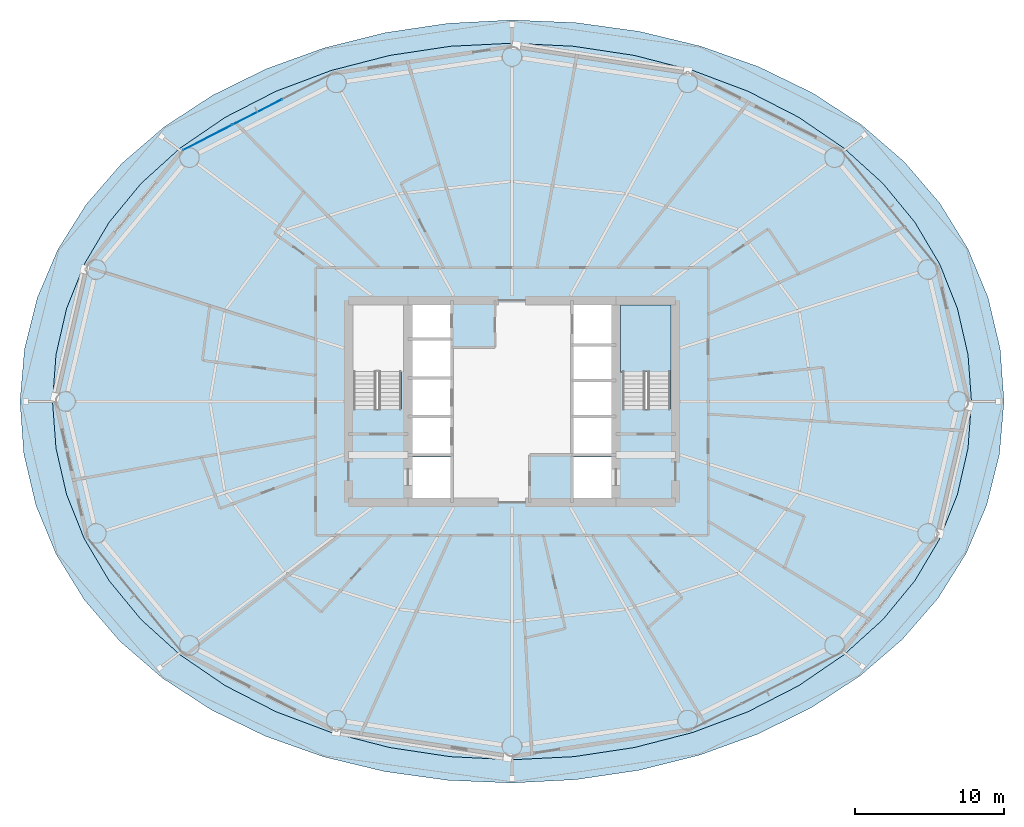
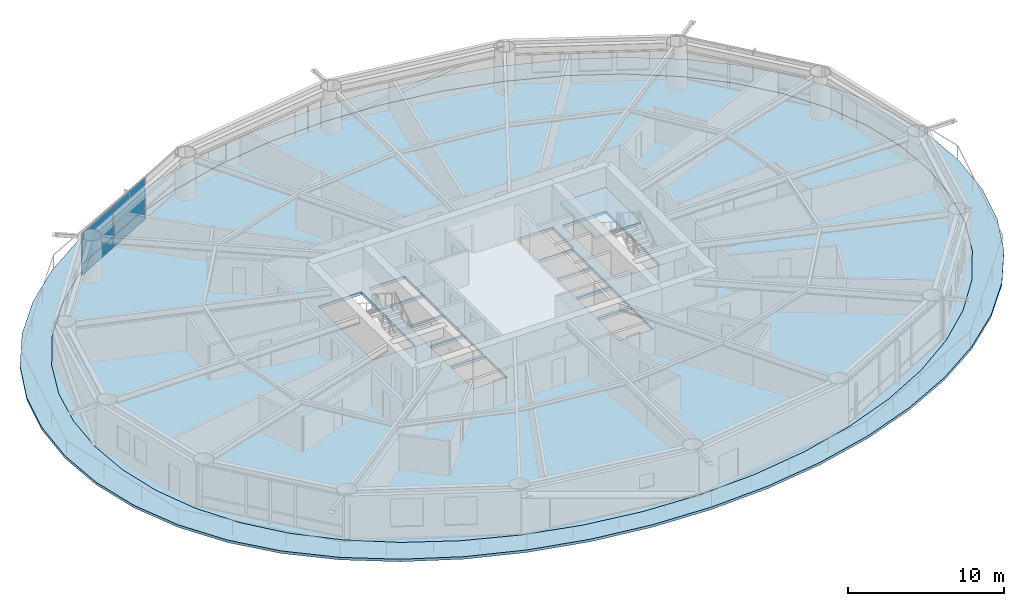
# One storey, part 17 of 26: 4 plates, 3 slabs, 2 elements without a shape of their own.
"""IFC4 building model written with IfcOpenShell, lengths in metres."""

from ifc_helpers import new_model, si_unit, direction, frame, origin, origin_2d, place, context, subcontext, project, spatial, polyline, rectangle, outline, extrude, material, layer, layer_set, type_object, element, aggregate, save


model = new_model("IFC4")

# Units and contexts
model_context = context("Model", 3, precision=1e-05, world=origin(), true_north=direction((0.0, 1.0)))
body_context = subcontext(model_context, "Body", "Model", "MODEL_VIEW")
ifc_project = project(units=[si_unit("LENGTHUNIT", "METRE"), si_unit("AREAUNIT", "SQUARE_METRE"), si_unit("VOLUMEUNIT", "CUBIC_METRE"), si_unit("PLANEANGLEUNIT", "RADIAN"), si_unit("MASSUNIT", "GRAM", prefix="KILO")], contexts=[model_context])

# Site, building, storey
site_placement = place(None, origin())
site = spatial("IfcSite", under=ifc_project, at=site_placement, CompositionType="ELEMENT")
building_placement = place(site_placement, origin())
building = spatial("IfcBuilding", under=site, at=building_placement, Name="Sarneth Arch Tower", CompositionType="ELEMENT")
storey_placement = place(building_placement, frame((0.0, 0.0, 57.0)))
storey = spatial("IfcBuildingStorey", under=building, at=storey_placement, Name="L13", CompositionType="ELEMENT", Elevation=57.0)

# Curtain wall, plates
ifc_material_1 = material(Name="Anodised aluminium Type AA25 and solar-control low-e laminated IGU", Category="aluminium")
ifc_layer_1 = layer(ifc_material_1, 0.159912109375)
ifc_layer_set_1 = layer_set([ifc_layer_1], Name="Anodised aluminium Type AA25 and solar-control low-e laminated IGU")
curtain_wall_type = type_object("IfcCurtainWallType", Name="CW-HOTEL-LOW", PredefinedType="NOTDEFINED", material=ifc_layer_set_1)
curtain_wall_placement = place(storey_placement, origin())
curtain_wall = element("IfcCurtainWall", 1, at=curtain_wall_placement, inside=storey, type_object=curtain_wall_type, Name="L13 Unitised curtain wall facet 06", PredefinedType="NOTDEFINED")
ifc_material_2 = material(Name="Solar-control low-e laminated IGU", Category="glass")
ifc_layer_2 = layer(ifc_material_2, 0.028076171875)
ifc_layer_set_2 = layer_set([ifc_layer_2], Name="Solar-control low-e laminated IGU")
plate_type = type_object("IfcPlateType", Name="CW-PANEL", PredefinedType="CURTAIN_PANEL", material=ifc_layer_set_2)
plate_1_placement = place(storey_placement, frame((30.8740234375, 61.473876953125, 0.06005859375), z_axis=(0.0, 0.0, 1.0), x_axis=(-0.889854100456, -0.456245197127, 0.0)))
plate_1 = element("IfcPlate", 2, at=plate_1_placement, type_object=plate_type, Name="Curtain wall glazed vision pane CW-L13-F06/P01-00", PredefinedType="CURTAIN_PANEL", context=body_context, shape_type="SweptSolid", body=[
    extrude(rectangle(XDim=3.721923828125, YDim=0.028076171875, at=origin_2d()), origin(), (0.0, 0.0, 1.0), 0.81005859375),
])
plate_2_placement = place(storey_placement, frame((30.8740234375, 61.473876953125, 0.93017578125), z_axis=(0.0, 0.0, 1.0), x_axis=(-0.889854100456, -0.456245197127, 0.0)))
plate_2 = element("IfcPlate", 3, at=plate_2_placement, type_object=plate_type, Name="Curtain wall glazed vision pane CW-L13-F06/P01-01", PredefinedType="CURTAIN_PANEL", context=body_context, shape_type="SweptSolid", body=[
    extrude(rectangle(XDim=3.721923828125, YDim=0.028076171875, at=origin_2d()), origin(), (0.0, 0.0, 1.0), 2.389892578125),
])
plate_3_placement = place(storey_placement, frame((27.52197265625, 59.75537109375, 0.06005859375), z_axis=(0.0, 0.0, 1.0), x_axis=(-0.889854100456, -0.456245197127, 0.0)))
plate_3 = element("IfcPlate", 4, at=plate_3_placement, type_object=plate_type, Name="Curtain wall glazed vision pane CW-L13-F06/P02-00", PredefinedType="CURTAIN_PANEL", context=body_context, shape_type="SweptSolid", body=[
    extrude(rectangle(XDim=3.69189453125, YDim=0.028076171875, at=origin_2d()), origin(), (0.0, 0.0, 1.0), 0.81005859375),
])
plate_4_placement = place(storey_placement, frame((27.52197265625, 59.75537109375, 0.93017578125), z_axis=(0.0, 0.0, 1.0), x_axis=(-0.889854100456, -0.456245197127, 0.0)))
plate_4 = element("IfcPlate", 5, at=plate_4_placement, type_object=plate_type, Name="Curtain wall glazed vision pane CW-L13-F06/P02-01", PredefinedType="CURTAIN_PANEL", context=body_context, shape_type="SweptSolid", body=[
    extrude(rectangle(XDim=3.69189453125, YDim=0.028076171875, at=origin_2d()), origin(), (0.0, 0.0, 1.0), 2.389892578125),
])
aggregate(curtain_wall, [plate_1, plate_2, plate_3, plate_4])

# Slab
ifc_material_3 = material(Name="Concrete C50/60", Category="concrete")
ifc_layer_3 = layer(ifc_material_3, 0.199951171875)
ifc_layer_set_3 = layer_set([ifc_layer_3], Name="Concrete C50/60")
slab_type_1 = type_object("IfcSlabType", Name="SLAB-BALC-200", PredefinedType="FLOOR", material=ifc_layer_set_3)
slab_1_placement = place(storey_placement, frame((0.0, 0.0, -0.199951171875)))
element("IfcSlab", 6, at=slab_1_placement, inside=storey, type_object=slab_type_1, Name="L13 Helical balcony band slab", PredefinedType="FLOOR", context=body_context, shape_type="SweptSolid", body=[
    extrude(outline(polyline([(81.096923828125, 42.0), (80.840576171875, 45.532470703125), (80.027099609375, 48.98388671875), (78.665771484375, 52.274658203125), (76.7734375, 55.3408203125), (74.3759765625, 58.13232421875), (71.510009765625, 60.611083984375), (68.226806640625, 62.7470703125), (64.59130859375, 64.517333984375), (60.676025390625, 65.904296875), (56.5576171875, 66.89501953125), (52.30908203125, 67.482421875), (48.0, 67.66259765625), (43.6953125, 67.436279296875), (39.460205078125, 66.807373046875), (35.36181640625, 65.783203125), (31.470947265625, 64.375244140625), (27.85986328125, 62.597412109375), (24.597900390625, 60.4677734375), (21.7451171875, 58.008544921875), (19.34912109375, 55.245849609375), (17.445068359375, 52.212890625), (16.05712890625, 48.953369140625), (15.205078125, 45.524169921875), (14.903076171875, 42.0), (15.159423828125, 38.467529296875), (15.972900390625, 35.01611328125), (17.334228515625, 31.725341796875), (19.2265625, 28.6591796875), (21.6240234375, 25.86767578125), (24.489990234375, 23.388916015625), (27.773193359375, 21.2529296875), (31.40869140625, 19.482666015625), (35.323974609375, 18.095703125), (39.4423828125, 17.10498046875), (43.69091796875, 16.517578125), (48.0, 16.33740234375), (52.3046875, 16.563720703125), (56.539794921875, 17.192626953125), (60.63818359375, 18.216796875), (64.529052734375, 19.624755859375), (68.14013671875, 21.402587890625), (71.402099609375, 23.5322265625), (74.2548828125, 25.991455078125), (76.65087890625, 28.754150390625), (78.554931640625, 31.787109375), (79.94287109375, 35.046630859375), (80.794921875, 38.475830078125), (81.096923828125, 42.0)]), holes=[polyline([(78.90966796875, 42.0), (78.675048828125, 45.145751953125), (77.9677734375, 48.237548828125), (76.780029296875, 51.22265625), (75.10595703125, 54.050048828125), (72.94873046875, 56.671142578125), (70.32861328125, 59.041259765625), (67.2841796875, 61.119873046875), (63.8720703125, 62.87109375), (60.162109375, 64.265380859375), (56.2294921875, 65.27880859375), (52.150634765625, 65.893798828125), (48.0, 66.10009765625), (43.849365234375, 65.893798828125), (39.7705078125, 65.27880859375), (35.837890625, 64.265380859375), (32.1279296875, 62.87109375), (28.7158203125, 61.119873046875), (25.67138671875, 59.041259765625), (23.05126953125, 56.671142578125), (20.89404296875, 54.050048828125), (19.219970703125, 51.22265625), (18.0322265625, 48.237548828125), (17.324951171875, 45.145751953125), (17.09033203125, 42.0), (17.324951171875, 38.854248046875), (18.0322265625, 35.762451171875), (19.219970703125, 32.77734375), (20.89404296875, 29.949951171875), (23.05126953125, 27.328857421875), (25.67138671875, 24.958740234375), (28.7158203125, 22.880126953125), (32.1279296875, 21.12890625), (35.837890625, 19.734619140625), (39.7705078125, 18.72119140625), (43.849365234375, 18.106201171875), (48.0, 17.89990234375), (52.150634765625, 18.106201171875), (56.2294921875, 18.72119140625), (60.162109375, 19.734619140625), (63.8720703125, 21.12890625), (67.2841796875, 22.880126953125), (70.32861328125, 24.958740234375), (72.94873046875, 27.328857421875), (75.10595703125, 29.949951171875), (76.780029296875, 32.77734375), (77.9677734375, 35.762451171875), (78.675048828125, 38.854248046875), (78.90966796875, 42.0)])]), origin(), (0.0, 0.0, 1.0), 0.199951171875),
])

# Stair, slab
ifc_material_4 = material(Name="Concrete C50/60", Category="concrete")
stair_type = type_object("IfcStairType", Name="STAIR-CORE-RC", PredefinedType="HALF_TURN_STAIR", material=ifc_material_4)
stair_placement = place(storey_placement, origin())
stair = element("IfcStair", 7, at=stair_placement, inside=storey, type_object=stair_type, Name="L13 Core Exit Stair 2", PredefinedType="HALF_TURN_STAIR")
ifc_material_5 = material(Name="Concrete C50/60", Category="concrete")
ifc_layer_4 = layer(ifc_material_5, 0.199951171875)
ifc_layer_set_4 = layer_set([ifc_layer_4], Name="Concrete C50/60")
slab_type_2 = type_object("IfcSlabType", Name="SLAB-LANDING-200", PredefinedType="LANDING", material=ifc_layer_set_4)
slab_2_placement = place(storey_placement, frame((0.0, 0.0, 1.60009765625)))
slab_2 = element("IfcSlab", 8, at=slab_2_placement, type_object=slab_type_2, Name="ST-2 landing 1", PredefinedType="LANDING", context=body_context, shape_type="SweptSolid", body=[
    extrude(outline(polyline([(55.300048828125, 43.985107421875), (58.699951171875, 43.985107421875), (58.699951171875, 48.5), (55.300048828125, 48.5), (55.300048828125, 43.985107421875)])), origin(), (0.0, 0.0, 1.0), 0.199951171875),
])
aggregate(stair, [slab_2])

# Slab
ifc_material_6 = material(Name="Concrete C50/60", Category="concrete")
ifc_layer_5 = layer(ifc_material_6, 0.219970703125)
ifc_layer_set_5 = layer_set([ifc_layer_5], Name="Concrete C50/60")
slab_type_3 = type_object("IfcSlabType", Name="SLAB-TOWER-220", PredefinedType="FLOOR", material=ifc_layer_set_5)
slab_3_placement = place(storey_placement, frame((0.0, 0.0, -0.219970703125)))
element("IfcSlab", 9, at=slab_3_placement, inside=storey, type_object=slab_type_3, Name="L13 Elliptical floor slab", PredefinedType="FLOOR", context=body_context, shape_type="SweptSolid", body=[
    extrude(outline(polyline([(78.90966796875, 42.0), (78.675048828125, 45.145751953125), (77.9677734375, 48.237548828125), (76.780029296875, 51.22265625), (75.10595703125, 54.050048828125), (72.94873046875, 56.671142578125), (70.32861328125, 59.041259765625), (67.2841796875, 61.119873046875), (63.8720703125, 62.87109375), (60.162109375, 64.265380859375), (56.2294921875, 65.27880859375), (52.150634765625, 65.893798828125), (48.0, 66.10009765625), (43.849365234375, 65.893798828125), (39.7705078125, 65.27880859375), (35.837890625, 64.265380859375), (32.1279296875, 62.87109375), (28.7158203125, 61.119873046875), (25.67138671875, 59.041259765625), (23.05126953125, 56.671142578125), (20.89404296875, 54.050048828125), (19.219970703125, 51.22265625), (18.0322265625, 48.237548828125), (17.324951171875, 45.145751953125), (17.09033203125, 42.0), (17.324951171875, 38.854248046875), (18.0322265625, 35.762451171875), (19.219970703125, 32.77734375), (20.89404296875, 29.949951171875), (23.05126953125, 27.328857421875), (25.67138671875, 24.958740234375), (28.7158203125, 22.880126953125), (32.1279296875, 21.12890625), (35.837890625, 19.734619140625), (39.7705078125, 18.72119140625), (43.849365234375, 18.106201171875), (48.0, 17.89990234375), (52.150634765625, 18.106201171875), (56.2294921875, 18.72119140625), (60.162109375, 19.734619140625), (63.8720703125, 21.12890625), (67.2841796875, 22.880126953125), (70.32861328125, 24.958740234375), (72.94873046875, 27.328857421875), (75.10595703125, 29.949951171875), (76.780029296875, 32.77734375), (77.9677734375, 35.762451171875), (78.675048828125, 38.854248046875), (78.90966796875, 42.0)]), holes=[polyline([(37.35009765625, 41.489990234375), (40.550048828125, 41.489990234375), (40.550048828125, 48.39990234375), (37.35009765625, 48.39990234375), (37.35009765625, 41.489990234375)]), polyline([(55.449951171875, 41.489990234375), (58.64990234375, 41.489990234375), (58.64990234375, 48.39990234375), (55.449951171875, 48.39990234375), (55.449951171875, 41.489990234375)]), polyline([(41.199951171875, 46.25), (43.85009765625, 46.25), (43.85009765625, 48.550048828125), (41.199951171875, 48.550048828125), (41.199951171875, 46.25)]), polyline([(41.300048828125, 35.449951171875), (43.85009765625, 35.449951171875), (43.85009765625, 38.25), (41.300048828125, 38.25), (41.300048828125, 35.449951171875)]), polyline([(52.14990234375, 35.449951171875), (54.699951171875, 35.449951171875), (54.699951171875, 38.25), (52.14990234375, 38.25), (52.14990234375, 35.449951171875)]), polyline([(52.14990234375, 45.85009765625), (54.800048828125, 45.85009765625), (54.800048828125, 48.550048828125), (52.14990234375, 48.550048828125), (52.14990234375, 45.85009765625)]), polyline([(41.300048828125, 38.449951171875), (43.85009765625, 38.449951171875), (43.85009765625, 40.89990234375), (41.300048828125, 40.89990234375), (41.300048828125, 38.449951171875)]), polyline([(41.300048828125, 41.050048828125), (43.85009765625, 41.050048828125), (43.85009765625, 43.5), (41.300048828125, 43.5), (41.300048828125, 41.050048828125)]), polyline([(41.300048828125, 43.64990234375), (43.85009765625, 43.64990234375), (43.85009765625, 46.10009765625), (41.300048828125, 46.10009765625), (41.300048828125, 43.64990234375)]), polyline([(52.14990234375, 38.449951171875), (54.699951171875, 38.449951171875), (54.699951171875, 40.89990234375), (52.14990234375, 40.89990234375), (52.14990234375, 38.449951171875)]), polyline([(52.14990234375, 41.050048828125), (54.699951171875, 41.050048828125), (54.699951171875, 43.35009765625), (52.14990234375, 43.35009765625), (52.14990234375, 41.050048828125)]), polyline([(52.14990234375, 43.5), (54.699951171875, 43.5), (54.699951171875, 45.75), (52.14990234375, 45.75), (52.14990234375, 43.5)])]), origin(), (0.0, 0.0, 1.0), 0.219970703125),
])

save(model, "model.ifc")
